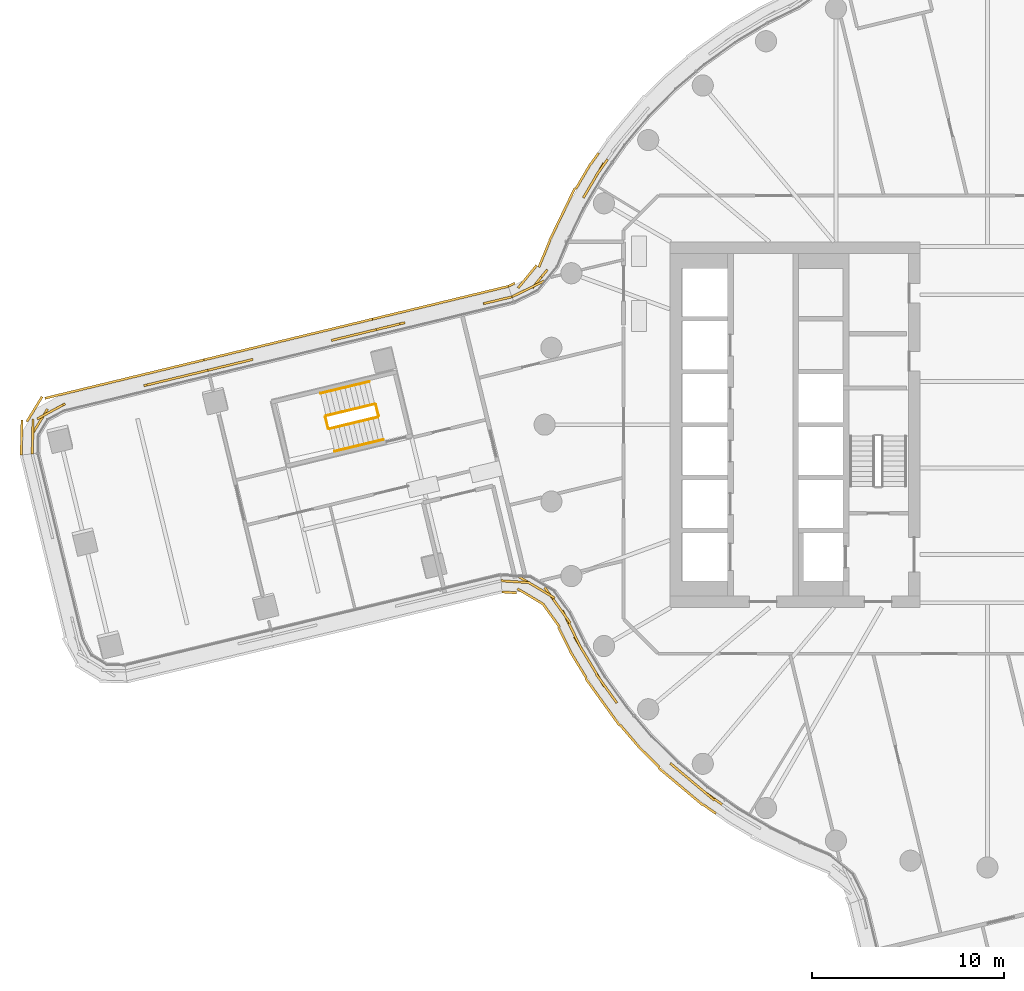
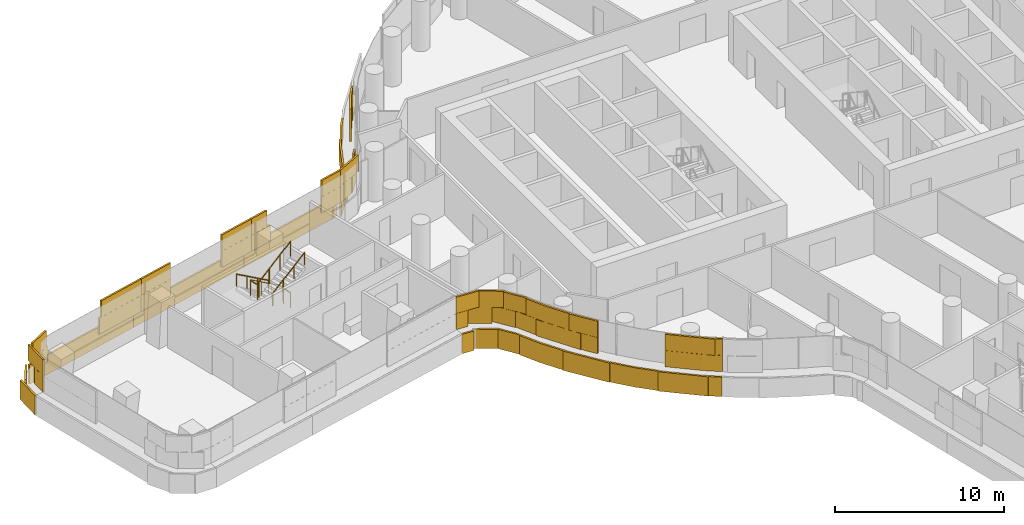
# One storey, part 27 of 33: 6 railings, 5 coverings.
"""IFC4 building model written with IfcOpenShell, lengths in metres."""

from ifc_helpers import new_model, si_unit, direction, frame, origin, origin_2d, place, context, subcontext, project, spatial, rectangle, circle, extrude, material, layer, layer_set, type_object, element, save


model = new_model("IFC4")

# Units and contexts
model_context = context("Model", 3, precision=1e-05, world=origin(), true_north=direction((0.0, 1.0)))
body_context = subcontext(model_context, "Body", "Model", "MODEL_VIEW")
ifc_project = project(units=[si_unit("LENGTHUNIT", "METRE"), si_unit("AREAUNIT", "SQUARE_METRE"), si_unit("VOLUMEUNIT", "CUBIC_METRE"), si_unit("PLANEANGLEUNIT", "RADIAN"), si_unit("MASSUNIT", "GRAM", prefix="KILO")], contexts=[model_context])

# Site, building, storey
site_placement = place(None, origin())
site = spatial("IfcSite", under=ifc_project, at=site_placement, CompositionType="ELEMENT")
building_placement = place(site_placement, origin())
building = spatial("IfcBuilding", under=site, at=building_placement, Name="Tamarind Cross Interchange Tower", CompositionType="ELEMENT")
storey_placement = place(building_placement, frame((0.0, 0.0, 83.5)))
storey = spatial("IfcBuildingStorey", under=building, at=storey_placement, Name="L19", CompositionType="ELEMENT", Elevation=83.5)

# Railings
ifc_material_1 = material(Name="Stair guard")
railing_type_1 = type_object("IfcRailingType", Name="Stair guard", PredefinedType="GUARDRAIL", material=ifc_material_1)
railing_1_placement = place(storey_placement, frame((-31.82666015625, 1.072265625, 0.17041015625)))
element("IfcRailing", 1, at=railing_1_placement, inside=storey, type_object=railing_type_1, Name="L19 ST5 stair guard 1", PredefinedType="GUARDRAIL", context=body_context, shape_type="SweptSolid", body=[
    extrude(circle(Radius=0.02392578125, at=origin_2d()), frame((0.0, 0.0, 1.076171875), z_axis=(-0.812910466723, -0.196395776398, 0.548274814399), x_axis=(0.234839402475, -0.972034184093, 0.0)), (0.0, 0.0, 1.0), 3.10888671875),
    extrude(circle(Radius=0.02099609375, at=origin_2d()), origin(), (0.0, 0.0, 1.0), 1.052001953125),
    extrude(circle(Radius=0.02099609375, at=origin_2d()), frame((-0.842529296875, -0.20361328125, 0.568115234375)), (0.0, 0.0, 1.0), 1.052001953125),
    extrude(circle(Radius=0.02099609375, at=origin_2d()), frame((-1.684814453125, -0.406982421875, 1.136474609375)), (0.0, 0.0, 1.0), 1.052001953125),
    extrude(circle(Radius=0.02099609375, at=origin_2d()), frame((-2.52734375, -0.610595703125, 1.70458984375)), (0.0, 0.0, 1.0), 1.052001953125),
])
railing_2_placement = place(storey_placement, frame((-34.390869140625, 0.4013671875, 1.875)))
element("IfcRailing", 2, at=railing_2_placement, inside=storey, type_object=railing_type_1, Name="L19 ST5 stair guard 2", PredefinedType="GUARDRAIL", context=body_context, shape_type="SweptSolid", body=[
    extrude(circle(Radius=0.02392578125, at=origin_2d()), frame((0.0, 0.0, 1.076171875), z_axis=(0.235157515487, -0.97195727422, 0.0), x_axis=(0.97195727422, 0.235157515487, 0.0)), (0.0, 0.0, 1.0), 0.60009765625),
    extrude(circle(Radius=0.02099609375, at=origin_2d()), origin(), (0.0, 0.0, 1.0), 1.052001953125),
    extrude(circle(Radius=0.02099609375, at=origin_2d()), frame((0.14111328125, -0.583251953125, 0.0)), (0.0, 0.0, 1.0), 1.052001953125),
])
railing_3_placement = place(storey_placement, frame((-34.189453125, -0.21875, 2.04541015625)))
element("IfcRailing", 3, at=railing_3_placement, inside=storey, type_object=railing_type_1, Name="L19 ST5 stair guard 3", PredefinedType="GUARDRAIL", context=body_context, shape_type="SweptSolid", body=[
    extrude(circle(Radius=0.02392578125, at=origin_2d()), frame((0.0, 0.0, 1.076171875), z_axis=(0.812883829688, 0.196408313984, 0.548309815369), x_axis=(-0.234860838697, 0.972029004941, 0.0)), (0.0, 0.0, 1.0), 3.10888671875),
    extrude(circle(Radius=0.02099609375, at=origin_2d()), origin(), (0.0, 0.0, 1.0), 1.052001953125),
    extrude(circle(Radius=0.02099609375, at=origin_2d()), frame((0.84228515625, 0.20361328125, 0.568115234375)), (0.0, 0.0, 1.0), 1.052001953125),
    extrude(circle(Radius=0.02099609375, at=origin_2d()), frame((1.684814453125, 0.406982421875, 1.136474609375)), (0.0, 0.0, 1.0), 1.052001953125),
    extrude(circle(Radius=0.02099609375, at=origin_2d()), frame((2.527099609375, 0.610595703125, 1.70458984375)), (0.0, 0.0, 1.0), 1.052001953125),
])
railing_4_placement = place(storey_placement, frame((-31.766357421875, 1.035400390625, 0.0)))
element("IfcRailing", 4, at=railing_4_placement, inside=storey, type_object=railing_type_1, Name="L19 ST5 stair guard 4", PredefinedType="GUARDRAIL", context=body_context, shape_type="SweptSolid", body=[
    extrude(circle(Radius=0.02392578125, at=origin_2d()), frame((0.0, 0.0, 1.076171875), z_axis=(0.234773111691, -0.972050197277, 0.0), x_axis=(0.972050197277, 0.234773111691, 0.0)), (0.0, 0.0, 1.0), 0.60009765625),
    extrude(circle(Radius=0.02099609375, at=origin_2d()), origin(), (0.0, 0.0, 1.0), 1.052001953125),
    extrude(circle(Radius=0.02099609375, at=origin_2d()), frame((0.140869140625, -0.583251953125, 0.0)), (0.0, 0.0, 1.0), 1.052001953125),
])
ifc_material_2 = material(Name="Stair handrail")
railing_type_2 = type_object("IfcRailingType", Name="Stair handrail", PredefinedType="HANDRAIL", material=ifc_material_2)
railing_5_placement = place(storey_placement, frame((-32.1083984375, 2.23876953125, 0.17041015625)))
element("IfcRailing", 5, at=railing_5_placement, inside=storey, type_object=railing_type_2, Name="L19 ST5 stair handrail 1", PredefinedType="HANDRAIL", context=body_context, shape_type="SweptSolid", body=[
    extrude(circle(Radius=0.02392578125, at=origin_2d()), frame((0.0, 0.0, 0.8759765625), z_axis=(-0.812910466723, -0.196395776398, 0.548274814399), x_axis=(0.234839402475, -0.972034184093, 0.0)), (0.0, 0.0, 1.0), 3.10888671875),
    extrude(circle(Radius=0.02099609375, at=origin_2d()), origin(), (0.0, 0.0, 1.0), 0.851806640625),
    extrude(circle(Radius=0.02099609375, at=origin_2d()), frame((-0.842529296875, -0.20361328125, 0.568115234375)), (0.0, 0.0, 1.0), 0.851806640625),
    extrude(circle(Radius=0.02099609375, at=origin_2d()), frame((-1.684814453125, -0.406982421875, 1.136474609375)), (0.0, 0.0, 1.0), 0.851806640625),
    extrude(circle(Radius=0.02099609375, at=origin_2d()), frame((-2.52734375, -0.610595703125, 1.70458984375)), (0.0, 0.0, 1.0), 0.851806640625),
])
railing_6_placement = place(storey_placement, frame((-33.90771484375, -1.38525390625, 2.04541015625)))
element("IfcRailing", 6, at=railing_6_placement, inside=storey, type_object=railing_type_2, Name="L19 ST5 stair handrail 2", PredefinedType="HANDRAIL", context=body_context, shape_type="SweptSolid", body=[
    extrude(circle(Radius=0.02392578125, at=origin_2d()), frame((0.0, 0.0, 0.8759765625), z_axis=(0.812910466723, 0.196395776398, 0.548274814399), x_axis=(-0.234839402475, 0.972034184093, 0.0)), (0.0, 0.0, 1.0), 3.10888671875),
    extrude(circle(Radius=0.02099609375, at=origin_2d()), origin(), (0.0, 0.0, 1.0), 0.851806640625),
    extrude(circle(Radius=0.02099609375, at=origin_2d()), frame((0.842529296875, 0.20361328125, 0.568115234375)), (0.0, 0.0, 1.0), 0.851806640625),
    extrude(circle(Radius=0.02099609375, at=origin_2d()), frame((1.684814453125, 0.406982421875, 1.136474609375)), (0.0, 0.0, 1.0), 0.851806640625),
    extrude(circle(Radius=0.02099609375, at=origin_2d()), frame((2.52734375, 0.610595703125, 1.70458984375)), (0.0, 0.0, 1.0), 0.851806640625),
])

# Coverings
ifc_material_3 = material(Name="Terracotta", Category="masonry")
ifc_layer = layer(ifc_material_3, 0.1201171875)
ifc_layer_set = layer_set([ifc_layer], Name="Terracotta")
covering_type = type_object("IfcCoveringType", Name="Terracotta baguette screen unit", PredefinedType="MOLDING", material=ifc_layer_set)
covering_1_placement = place(storey_placement, origin())
element("IfcCovering", 7, at=covering_1_placement, inside=storey, type_object=covering_type, Name="SCR-L19-02-01", PredefinedType="MOLDING", context=body_context, shape_type="SweptSolid", body=[
    extrude(rectangle(XDim=0.298095703125, YDim=0.1201171875, at=origin_2d()), frame((-19.813232421875, 13.66259765625, 1.404052734375), z_axis=(0.0, 0.0, 1.0), x_axis=(-0.577568978284, -0.816341886298, 0.0)), (0.0, 0.0, 1.0), 1.1669921875),
    extrude(rectangle(XDim=1.52001953125, YDim=0.1201171875, at=origin_2d()), frame((-20.31640625, 12.92431640625, 1.404052734375), z_axis=(0.0, 0.0, 1.0), x_axis=(-0.508183308752, -0.861248933065, 0.0)), (0.0, 0.0, 1.0), 1.1669921875),
    extrude(rectangle(XDim=0.58251953125, YDim=0.1201171875, at=origin_2d()), frame((-20.843017578125, 12.03173828125, 1.404052734375), z_axis=(0.0, 0.0, 1.0), x_axis=(-0.508183308752, -0.861248933065, 0.0)), (0.0, 0.0, 1.0), 1.1669921875),
    extrude(rectangle(XDim=1.237548828125, YDim=0.1201171875, at=origin_2d()), frame((-23.252685546875, 7.568603515625, 1.404052734375), z_axis=(0.0, 0.0, 1.0), x_axis=(-0.633230544773, -0.77396322727, 0.0)), (0.0, 0.0, 1.0), 1.1669921875),
    extrude(rectangle(XDim=1.142822265625, YDim=0.1201171875, at=origin_2d()), frame((-24.1875, 6.891845703125, 1.404052734375), z_axis=(0.0, 0.0, 1.0), x_axis=(-0.898036702198, -0.43992053999, 0.0)), (0.0, 0.0, 1.0), 1.1669921875),
    extrude(rectangle(XDim=1.048095703125, YDim=0.1201171875, at=origin_2d()), frame((-20.02978515625, 13.3564453125, 2.5791015625), z_axis=(0.0, 0.0, 1.0), x_axis=(-0.577568978284, -0.816341886298, 0.0)), (0.0, 0.0, 1.0), 1.1669921875),
    extrude(rectangle(XDim=1.33251953125, YDim=0.1201171875, at=origin_2d()), frame((-20.652587890625, 12.354736328125, 2.5791015625), z_axis=(0.0, 0.0, 1.0), x_axis=(-0.508183308752, -0.861248933065, 0.0)), (0.0, 0.0, 1.0), 1.1669921875),
    extrude(rectangle(XDim=0.487548828125, YDim=0.1201171875, at=origin_2d()), frame((-23.01513671875, 7.85888671875, 2.5791015625), z_axis=(0.0, 0.0, 1.0), x_axis=(-0.633230544773, -0.77396322727, 0.0)), (0.0, 0.0, 1.0), 1.1669921875),
    extrude(rectangle(XDim=1.52001953125, YDim=0.1201171875, at=origin_2d()), frame((-23.678955078125, 7.140869140625, 2.5791015625), z_axis=(0.0, 0.0, 1.0), x_axis=(-0.898036702198, -0.43992053999, 0.0)), (0.0, 0.0, 1.0), 1.1669921875),
    extrude(rectangle(XDim=0.392822265625, YDim=0.1201171875, at=origin_2d()), frame((-24.5244140625, 6.726806640625, 2.5791015625), z_axis=(0.0, 0.0, 1.0), x_axis=(-0.898036702198, -0.43992053999, 0.0)), (0.0, 0.0, 1.0), 1.1669921875),
    extrude(rectangle(XDim=0.705810546875, YDim=0.1201171875, at=origin_2d()), frame((-20.404541015625, 13.82080078125, 0.00390625), z_axis=(0.0, 0.0, 1.0), x_axis=(-0.577568978284, -0.816341886298, 0.0)), (0.0, 0.0, 1.0), 1.39208984375),
    extrude(rectangle(XDim=1.52001953125, YDim=0.1201171875, at=origin_2d()), frame((-20.995849609375, 12.902587890625, 0.00390625), z_axis=(0.0, 0.0, 1.0), x_axis=(-0.508183308752, -0.861248933065, 0.0)), (0.0, 0.0, 1.0), 1.39208984375),
    extrude(rectangle(XDim=1.52001953125, YDim=0.1201171875, at=origin_2d()), frame((-21.755126953125, 11.609375, 0.00390625), z_axis=(0.0, 0.0, 1.0), x_axis=(-0.435326231914, -0.900272776334, 0.0)), (0.0, 0.0, 1.0), 1.39208984375),
    extrude(rectangle(XDim=1.52001953125, YDim=0.1201171875, at=origin_2d()), frame((-22.408203125, 10.2587890625, 0.00390625), z_axis=(0.0, 0.0, 1.0), x_axis=(-0.435326231914, -0.900272776334, 0.0)), (0.0, 0.0, 1.0), 1.39208984375),
    extrude(rectangle(XDim=1.52001953125, YDim=0.1201171875, at=origin_2d()), frame((-23.0087890625, 8.885009765625, 0.00390625), z_axis=(0.0, 0.0, 1.0), x_axis=(-0.383444640748, -0.923563862157, 0.0)), (0.0, 0.0, 1.0), 1.39208984375),
    extrude(rectangle(XDim=1.52001953125, YDim=0.1201171875, at=origin_2d()), frame((-23.897216796875, 7.687255859375, 0.00390625), z_axis=(0.0, 0.0, 1.0), x_axis=(-0.633230544773, -0.77396322727, 0.0)), (0.0, 0.0, 1.0), 1.39208984375),
    extrude(rectangle(XDim=0.376953125, YDim=0.1201171875, at=origin_2d()), frame((-24.722900390625, 7.2685546875, 0.00390625), z_axis=(0.0, 0.0, 1.0), x_axis=(-0.898036702198, -0.43992053999, 0.0)), (0.0, 0.0, 1.0), 1.39208984375),
])
covering_2_placement = place(storey_placement, origin())
element("IfcCovering", 8, at=covering_2_placement, inside=storey, type_object=covering_type, Name="SCR-L19-03-00", PredefinedType="MOLDING", context=body_context, shape_type="SweptSolid", body=[
    extrude(rectangle(XDim=0.760009765625, YDim=0.1201171875, at=origin_2d()), frame((-25.060791015625, 6.554443359375, 1.404052734375), z_axis=(0.0, 0.0, 1.0), x_axis=(-0.972033185193, -0.234843537027, 0.0)), (0.0, 0.0, 1.0), 1.1669921875),
    extrude(rectangle(XDim=0.784912109375, YDim=0.1201171875, at=origin_2d()), frame((-25.8017578125, 6.37548828125, 1.404052734375), z_axis=(0.0, 0.0, 1.0), x_axis=(-0.972033185193, -0.234843537027, 0.0)), (0.0, 0.0, 1.0), 1.1669921875),
    extrude(rectangle(XDim=1.03515625, YDim=0.1201171875, at=origin_2d()), frame((-30.75927734375, 5.177734375, 1.404052734375), z_axis=(0.0, 0.0, 1.0), x_axis=(-0.972033185193, -0.234843537027, 0.0)), (0.0, 0.0, 1.0), 1.1669921875),
    extrude(rectangle(XDim=0.509521484375, YDim=0.1201171875, at=origin_2d()), frame((-31.500244140625, 4.998779296875, 1.404052734375), z_axis=(0.0, 0.0, 1.0), x_axis=(-0.972033185193, -0.234843537027, 0.0)), (0.0, 0.0, 1.0), 1.1669921875),
    extrude(rectangle(XDim=1.510009765625, YDim=0.1201171875, at=origin_2d()), frame((-25.42529296875, 6.466552734375, 2.5791015625), z_axis=(0.0, 0.0, 1.0), x_axis=(-0.972033185193, -0.234843537027, 0.0)), (0.0, 0.0, 1.0), 1.1669921875),
    extrude(rectangle(XDim=1.259521484375, YDim=0.1201171875, at=origin_2d()), frame((-31.1357421875, 5.086669921875, 2.5791015625), z_axis=(0.0, 0.0, 1.0), x_axis=(-0.972033185193, -0.234843537027, 0.0)), (0.0, 0.0, 1.0), 1.1669921875),
    extrude(rectangle(XDim=0.760009765625, YDim=0.1201171875, at=origin_2d()), frame((-25.26171875, 7.096435546875, 0.00390625), z_axis=(0.0, 0.0, 1.0), x_axis=(-0.972033185193, -0.234843537027, 0.0)), (0.0, 0.0, 1.0), 1.39208984375),
    extrude(rectangle(XDim=1.52001953125, YDim=0.1201171875, at=origin_2d()), frame((-26.350341796875, 6.83349609375, 0.00390625), z_axis=(0.0, 0.0, 1.0), x_axis=(-0.972033185193, -0.234843537027, 0.0)), (0.0, 0.0, 1.0), 1.39208984375),
    extrude(rectangle(XDim=1.52001953125, YDim=0.1201171875, at=origin_2d()), frame((-27.808349609375, 6.481201171875, 0.00390625), z_axis=(0.0, 0.0, 1.0), x_axis=(-0.972033185193, -0.234843537027, 0.0)), (0.0, 0.0, 1.0), 1.39208984375),
    extrude(rectangle(XDim=1.52001953125, YDim=0.1201171875, at=origin_2d()), frame((-29.266357421875, 6.12890625, 0.00390625), z_axis=(0.0, 0.0, 1.0), x_axis=(-0.972033185193, -0.234843537027, 0.0)), (0.0, 0.0, 1.0), 1.39208984375),
    extrude(rectangle(XDim=1.52001953125, YDim=0.1201171875, at=origin_2d()), frame((-30.724365234375, 5.776611328125, 0.00390625), z_axis=(0.0, 0.0, 1.0), x_axis=(-0.972033185193, -0.234843537027, 0.0)), (0.0, 0.0, 1.0), 1.39208984375),
    extrude(rectangle(XDim=0.513427734375, YDim=0.1201171875, at=origin_2d()), frame((-31.693359375, 5.542724609375, 0.00390625), z_axis=(0.0, 0.0, 1.0), x_axis=(-0.972033185193, -0.234843537027, 0.0)), (0.0, 0.0, 1.0), 1.39208984375),
])
covering_3_placement = place(storey_placement, origin())
element("IfcCovering", 9, at=covering_3_placement, inside=storey, type_object=covering_type, Name="SCR-L19-03-01", PredefinedType="MOLDING", context=body_context, shape_type="SweptSolid", body=[
    extrude(rectangle(XDim=1.010498046875, YDim=0.1201171875, at=origin_2d()), frame((-32.229248046875, 4.822509765625, 1.404052734375), z_axis=(0.0, 0.0, 1.0), x_axis=(-0.972033185193, -0.234843537027, 0.0)), (0.0, 0.0, 1.0), 1.1669921875),
    extrude(rectangle(XDim=1.409912109375, YDim=0.1201171875, at=origin_2d()), frame((-33.39599609375, 4.540771484375, 1.404052734375), z_axis=(0.0, 0.0, 1.0), x_axis=(-0.972033185193, -0.234843537027, 0.0)), (0.0, 0.0, 1.0), 1.1669921875),
    extrude(rectangle(XDim=0.409912109375, YDim=0.1201171875, at=origin_2d()), frame((-38.353271484375, 3.343017578125, 1.404052734375), z_axis=(0.0, 0.0, 1.0), x_axis=(-0.972033185193, -0.234843537027, 0.0)), (0.0, 0.0, 1.0), 1.1669921875),
    extrude(rectangle(XDim=1.52001953125, YDim=0.1201171875, at=origin_2d()), frame((-39.27685546875, 3.119873046875, 1.404052734375), z_axis=(0.0, 0.0, 1.0), x_axis=(-0.972033185193, -0.234843537027, 0.0)), (0.0, 0.0, 1.0), 1.1669921875),
    extrude(rectangle(XDim=0.51025390625, YDim=0.1201171875, at=origin_2d()), frame((-40.2490234375, 2.885009765625, 1.404052734375), z_axis=(0.0, 0.0, 1.0), x_axis=(-0.972033185193, -0.234843537027, 0.0)), (0.0, 0.0, 1.0), 1.1669921875),
    extrude(rectangle(XDim=0.260498046875, YDim=0.1201171875, at=origin_2d()), frame((-31.86474609375, 4.91064453125, 2.5791015625), z_axis=(0.0, 0.0, 1.0), x_axis=(-0.972033185193, -0.234843537027, 0.0)), (0.0, 0.0, 1.0), 1.1669921875),
    extrude(rectangle(XDim=1.52001953125, YDim=0.1201171875, at=origin_2d()), frame((-32.715576171875, 4.705078125, 2.5791015625), z_axis=(0.0, 0.0, 1.0), x_axis=(-0.972033185193, -0.234843537027, 0.0)), (0.0, 0.0, 1.0), 1.1669921875),
    extrude(rectangle(XDim=0.659912109375, YDim=0.1201171875, at=origin_2d()), frame((-33.760498046875, 4.45263671875, 2.5791015625), z_axis=(0.0, 0.0, 1.0), x_axis=(-0.972033185193, -0.234843537027, 0.0)), (0.0, 0.0, 1.0), 1.1669921875),
    extrude(rectangle(XDim=1.159912109375, YDim=0.1201171875, at=origin_2d()), frame((-38.7177734375, 3.2548828125, 2.5791015625), z_axis=(0.0, 0.0, 1.0), x_axis=(-0.972033185193, -0.234843537027, 0.0)), (0.0, 0.0, 1.0), 1.1669921875),
    extrude(rectangle(XDim=1.26025390625, YDim=0.1201171875, at=origin_2d()), frame((-39.884521484375, 2.97314453125, 2.5791015625), z_axis=(0.0, 0.0, 1.0), x_axis=(-0.972033185193, -0.234843537027, 0.0)), (0.0, 0.0, 1.0), 1.1669921875),
    extrude(rectangle(XDim=1.006591796875, YDim=0.1201171875, at=origin_2d()), frame((-32.43212890625, 5.364013671875, 0.00390625), z_axis=(0.0, 0.0, 1.0), x_axis=(-0.972033185193, -0.234843537027, 0.0)), (0.0, 0.0, 1.0), 1.39208984375),
    extrude(rectangle(XDim=1.52001953125, YDim=0.1201171875, at=origin_2d()), frame((-33.640625, 5.072265625, 0.00390625), z_axis=(0.0, 0.0, 1.0), x_axis=(-0.972033185193, -0.234843537027, 0.0)), (0.0, 0.0, 1.0), 1.39208984375),
    extrude(rectangle(XDim=1.52001953125, YDim=0.1201171875, at=origin_2d()), frame((-35.0986328125, 4.719970703125, 0.00390625), z_axis=(0.0, 0.0, 1.0), x_axis=(-0.972033185193, -0.234843537027, 0.0)), (0.0, 0.0, 1.0), 1.39208984375),
    extrude(rectangle(XDim=1.52001953125, YDim=0.1201171875, at=origin_2d()), frame((-36.556640625, 4.36767578125, 0.00390625), z_axis=(0.0, 0.0, 1.0), x_axis=(-0.972033185193, -0.234843537027, 0.0)), (0.0, 0.0, 1.0), 1.39208984375),
    extrude(rectangle(XDim=1.52001953125, YDim=0.1201171875, at=origin_2d()), frame((-38.0146484375, 4.015380859375, 0.00390625), z_axis=(0.0, 0.0, 1.0), x_axis=(-0.972033185193, -0.234843537027, 0.0)), (0.0, 0.0, 1.0), 1.39208984375),
    extrude(rectangle(XDim=1.52001953125, YDim=0.1201171875, at=origin_2d()), frame((-39.47265625, 3.6630859375, 0.00390625), z_axis=(0.0, 0.0, 1.0), x_axis=(-0.972033185193, -0.234843537027, 0.0)), (0.0, 0.0, 1.0), 1.39208984375),
    extrude(rectangle(XDim=0.518798828125, YDim=0.1201171875, at=origin_2d()), frame((-40.4443359375, 3.428466796875, 0.00390625), z_axis=(0.0, 0.0, 1.0), x_axis=(-0.972033185193, -0.234843537027, 0.0)), (0.0, 0.0, 1.0), 1.39208984375),
])
covering_4_placement = place(storey_placement, origin())
element("IfcCovering", 10, at=covering_4_placement, inside=storey, type_object=covering_type, Name="SCR-L19-03-02", PredefinedType="MOLDING", context=body_context, shape_type="SweptSolid", body=[
    extrude(rectangle(XDim=1.009765625, YDim=0.1201171875, at=origin_2d()), frame((-40.97802734375, 2.708984375, 1.404052734375), z_axis=(0.0, 0.0, 1.0), x_axis=(-0.972033185193, -0.234843537027, 0.0)), (0.0, 0.0, 1.0), 1.1669921875),
    extrude(rectangle(XDim=1.52001953125, YDim=0.1201171875, at=origin_2d()), frame((-42.19287109375, 2.415283203125, 1.404052734375), z_axis=(0.0, 0.0, 1.0), x_axis=(-0.972033185193, -0.234843537027, 0.0)), (0.0, 0.0, 1.0), 1.1669921875),
    extrude(rectangle(XDim=0.929931640625, YDim=0.1201171875, at=origin_2d()), frame((-43.368896484375, 2.13134765625, 1.404052734375), z_axis=(0.0, 0.0, 1.0), x_axis=(-0.972033185193, -0.234843537027, 0.0)), (0.0, 0.0, 1.0), 1.1669921875),
    extrude(rectangle(XDim=0.89013671875, YDim=0.1201171875, at=origin_2d()), frame((-48.30322265625, 0.87353515625, 1.404052734375), z_axis=(0.0, 0.0, 1.0), x_axis=(-0.878129977586, -0.478422138351, 0.0)), (0.0, 0.0, 1.0), 1.1669921875),
    extrude(rectangle(XDim=1.52001953125, YDim=0.1201171875, at=origin_2d()), frame((-49.2177734375, 0.167236328125, 1.404052734375), z_axis=(0.0, 0.0, 1.0), x_axis=(-0.521271799238, -0.853390714338, 0.0)), (0.0, 0.0, 1.0), 1.1669921875),
    extrude(rectangle(XDim=1.04931640625, YDim=0.1201171875, at=origin_2d()), frame((-49.605712890625, -0.9970703125, 1.404052734375), z_axis=(0.0, 0.0, 1.0), x_axis=(-0.024739263248, -0.99969393759, 0.0)), (0.0, 0.0, 1.0), 1.1669921875),
    extrude(rectangle(XDim=0.259765625, YDim=0.1201171875, at=origin_2d()), frame((-40.613525390625, 2.796875, 2.5791015625), z_axis=(0.0, 0.0, 1.0), x_axis=(-0.972033185193, -0.234843537027, 0.0)), (0.0, 0.0, 1.0), 1.1669921875),
    extrude(rectangle(XDim=1.52001953125, YDim=0.1201171875, at=origin_2d()), frame((-41.4638671875, 2.591552734375, 2.5791015625), z_axis=(0.0, 0.0, 1.0), x_axis=(-0.972033185193, -0.234843537027, 0.0)), (0.0, 0.0, 1.0), 1.1669921875),
    extrude(rectangle(XDim=1.52001953125, YDim=0.1201171875, at=origin_2d()), frame((-42.921875, 2.2392578125, 2.5791015625), z_axis=(0.0, 0.0, 1.0), x_axis=(-0.972033185193, -0.234843537027, 0.0)), (0.0, 0.0, 1.0), 1.1669921875),
    extrude(rectangle(XDim=1.52001953125, YDim=0.1201171875, at=origin_2d()), frame((-48.689697265625, 0.662841796875, 2.5791015625), z_axis=(0.0, 0.0, 1.0), x_axis=(-0.878129977586, -0.478422138351, 0.0)), (0.0, 0.0, 1.0), 1.1669921875),
    extrude(rectangle(XDim=1.52001953125, YDim=0.1201171875, at=origin_2d()), frame((-49.593017578125, -0.4775390625, 2.5791015625), z_axis=(0.0, 0.0, 1.0), x_axis=(-0.024739263248, -0.99969393759, 0.0)), (0.0, 0.0, 1.0), 1.1669921875),
    extrude(rectangle(XDim=0.29931640625, YDim=0.1201171875, at=origin_2d()), frame((-49.614990234375, -1.3720703125, 2.5791015625), z_axis=(0.0, 0.0, 1.0), x_axis=(-0.024739263248, -0.99969393759, 0.0)), (0.0, 0.0, 1.0), 1.1669921875),
    extrude(rectangle(XDim=1.001220703125, YDim=0.1201171875, at=origin_2d()), frame((-41.182861328125, 3.25, 0.00390625), z_axis=(0.0, 0.0, 1.0), x_axis=(-0.972033185193, -0.234843537027, 0.0)), (0.0, 0.0, 1.0), 1.39208984375),
    extrude(rectangle(XDim=1.52001953125, YDim=0.1201171875, at=origin_2d()), frame((-42.388916015625, 2.95849609375, 0.00390625), z_axis=(0.0, 0.0, 1.0), x_axis=(-0.972033185193, -0.234843537027, 0.0)), (0.0, 0.0, 1.0), 1.39208984375),
    extrude(rectangle(XDim=1.52001953125, YDim=0.1201171875, at=origin_2d()), frame((-43.846923828125, 2.606201171875, 0.00390625), z_axis=(0.0, 0.0, 1.0), x_axis=(-0.972033185193, -0.234843537027, 0.0)), (0.0, 0.0, 1.0), 1.39208984375),
    extrude(rectangle(XDim=1.52001953125, YDim=0.1201171875, at=origin_2d()), frame((-45.304931640625, 2.25390625, 0.00390625), z_axis=(0.0, 0.0, 1.0), x_axis=(-0.972033185193, -0.234843537027, 0.0)), (0.0, 0.0, 1.0), 1.39208984375),
    extrude(rectangle(XDim=1.52001953125, YDim=0.1201171875, at=origin_2d()), frame((-46.762939453125, 1.90185546875, 0.00390625), z_axis=(0.0, 0.0, 1.0), x_axis=(-0.972033185193, -0.234843537027, 0.0)), (0.0, 0.0, 1.0), 1.39208984375),
    extrude(rectangle(XDim=1.52001953125, YDim=0.1201171875, at=origin_2d()), frame((-48.220947265625, 1.549560546875, 0.00390625), z_axis=(0.0, 0.0, 1.0), x_axis=(-0.972033185193, -0.234843537027, 0.0)), (0.0, 0.0, 1.0), 1.39208984375),
    extrude(rectangle(XDim=1.52001953125, YDim=0.1201171875, at=origin_2d()), frame((-49.50146484375, 0.80419921875, 0.00390625), z_axis=(0.0, 0.0, 1.0), x_axis=(-0.521271799238, -0.853390714338, 0.0)), (0.0, 0.0, 1.0), 1.39208984375),
    extrude(rectangle(XDim=1.52001953125, YDim=0.1201171875, at=origin_2d()), frame((-50.16796875, -0.510009765625, 0.00390625), z_axis=(0.0, 0.0, 1.0), x_axis=(-0.024739263248, -0.99969393759, 0.0)), (0.0, 0.0, 1.0), 1.39208984375),
    extrude(rectangle(XDim=0.328369140625, YDim=0.1201171875, at=origin_2d()), frame((-50.190185546875, -1.413818359375, 0.00390625), z_axis=(0.0, 0.0, 1.0), x_axis=(-0.024739263248, -0.99969393759, 0.0)), (0.0, 0.0, 1.0), 1.39208984375),
])
covering_5_placement = place(storey_placement, origin())
element("IfcCovering", 11, at=covering_5_placement, inside=storey, type_object=covering_type, Name="SCR-L19-06-00", PredefinedType="MOLDING", context=body_context, shape_type="SweptSolid", body=[
    extrude(rectangle(XDim=0.760009765625, YDim=0.1201171875, at=origin_2d()), frame((-24.889892578125, -8.135009765625, 1.404052734375), z_axis=(0.0, 0.0, 1.0), x_axis=(0.997808014991, -0.06617526139, 0.0)), (0.0, 0.0, 1.0), 1.1669921875),
    extrude(rectangle(XDim=1.52001953125, YDim=0.1201171875, at=origin_2d()), frame((-23.775146484375, -8.23486328125, 1.404052734375), z_axis=(0.0, 0.0, 1.0), x_axis=(0.859172921584, -0.511685343563, 0.0)), (0.0, 0.0, 1.0), 1.1669921875),
    extrude(rectangle(XDim=1.52001953125, YDim=0.1201171875, at=origin_2d()), frame((-22.551513671875, -9.073486328125, 1.404052734375), z_axis=(0.0, 0.0, 1.0), x_axis=(0.583659290857, -0.811998665144, 0.0)), (0.0, 0.0, 1.0), 1.1669921875),
    extrude(rectangle(XDim=1.52001953125, YDim=0.1201171875, at=origin_2d()), frame((-21.739501953125, -10.32958984375, 1.404052734375), z_axis=(0.0, 0.0, 1.0), x_axis=(0.443397229037, -0.89632521848, 0.0)), (0.0, 0.0, 1.0), 1.1669921875),
    extrude(rectangle(XDim=1.52001953125, YDim=0.1201171875, at=origin_2d()), frame((-21.06494140625, -11.668701171875, 1.404052734375), z_axis=(0.0, 0.0, 1.0), x_axis=(0.515577308909, -0.856843065292, 0.0)), (0.0, 0.0, 1.0), 1.1669921875),
    extrude(rectangle(XDim=1.52001953125, YDim=0.1201171875, at=origin_2d()), frame((-20.29150390625, -12.9541015625, 1.404052734375), z_axis=(0.0, 0.0, 1.0), x_axis=(0.515577308909, -0.856843065292, 0.0)), (0.0, 0.0, 1.0), 1.1669921875),
    extrude(rectangle(XDim=1.0859375, YDim=0.1201171875, at=origin_2d()), frame((-19.563232421875, -14.015380859375, 1.404052734375), z_axis=(0.0, 0.0, 1.0), x_axis=(0.584573890505, -0.811340475102, 0.0)), (0.0, 0.0, 1.0), 1.1669921875),
    extrude(rectangle(XDim=0.734130859375, YDim=0.1201171875, at=origin_2d()), frame((-16.192138671875, -17.828125, 1.404052734375), z_axis=(0.0, 0.0, 1.0), x_axis=(0.765858396687, -0.643009266048, 0.0)), (0.0, 0.0, 1.0), 1.1669921875),
    extrude(rectangle(XDim=1.52001953125, YDim=0.1201171875, at=origin_2d()), frame((-15.34033203125, -18.543212890625, 1.404052734375), z_axis=(0.0, 0.0, 1.0), x_axis=(0.765858396687, -0.643009266048, 0.0)), (0.0, 0.0, 1.0), 1.1669921875),
    extrude(rectangle(XDim=1.221923828125, YDim=0.1201171875, at=origin_2d()), frame((-14.27490234375, -19.380126953125, 1.404052734375), z_axis=(0.0, 0.0, 1.0), x_axis=(0.816341886298, -0.577568978284, 0.0)), (0.0, 0.0, 1.0), 1.1669921875),
    extrude(rectangle(XDim=1.510009765625, YDim=0.1201171875, at=origin_2d()), frame((-24.515625, -8.15966796875, 2.5791015625), z_axis=(0.0, 0.0, 1.0), x_axis=(0.997808014991, -0.06617526139, 0.0)), (0.0, 0.0, 1.0), 1.1669921875),
    extrude(rectangle(XDim=1.52001953125, YDim=0.1201171875, at=origin_2d()), frame((-23.130859375, -8.61865234375, 2.5791015625), z_axis=(0.0, 0.0, 1.0), x_axis=(0.859172921584, -0.511685343563, 0.0)), (0.0, 0.0, 1.0), 1.1669921875),
    extrude(rectangle(XDim=1.52001953125, YDim=0.1201171875, at=origin_2d()), frame((-22.11376953125, -9.682373046875, 2.5791015625), z_axis=(0.0, 0.0, 1.0), x_axis=(0.583659290857, -0.811998665144, 0.0)), (0.0, 0.0, 1.0), 1.1669921875),
    extrude(rectangle(XDim=1.52001953125, YDim=0.1201171875, at=origin_2d()), frame((-21.406982421875, -11.001708984375, 2.5791015625), z_axis=(0.0, 0.0, 1.0), x_axis=(0.443397229037, -0.89632521848, 0.0)), (0.0, 0.0, 1.0), 1.1669921875),
    extrude(rectangle(XDim=1.52001953125, YDim=0.1201171875, at=origin_2d()), frame((-20.67822265625, -12.3115234375, 2.5791015625), z_axis=(0.0, 0.0, 1.0), x_axis=(0.515577308909, -0.856843065292, 0.0)), (0.0, 0.0, 1.0), 1.1669921875),
    extrude(rectangle(XDim=1.52001953125, YDim=0.1201171875, at=origin_2d()), frame((-19.877685546875, -13.578857421875, 2.5791015625), z_axis=(0.0, 0.0, 1.0), x_axis=(0.584573890505, -0.811340475102, 0.0)), (0.0, 0.0, 1.0), 1.1669921875),
    extrude(rectangle(XDim=0.3359375, YDim=0.1201171875, at=origin_2d()), frame((-19.343994140625, -14.319580078125, 2.5791015625), z_axis=(0.0, 0.0, 1.0), x_axis=(0.584573890505, -0.811340475102, 0.0)), (0.0, 0.0, 1.0), 1.1669921875),
    extrude(rectangle(XDim=1.484130859375, YDim=0.1201171875, at=origin_2d()), frame((-15.90478515625, -18.0693359375, 2.5791015625), z_axis=(0.0, 0.0, 1.0), x_axis=(0.765858396687, -0.643009266048, 0.0)), (0.0, 0.0, 1.0), 1.1669921875),
    extrude(rectangle(XDim=1.52001953125, YDim=0.1201171875, at=origin_2d()), frame((-14.765869140625, -19.025390625, 2.5791015625), z_axis=(0.0, 0.0, 1.0), x_axis=(0.765858396687, -0.643009266048, 0.0)), (0.0, 0.0, 1.0), 1.1669921875),
    extrude(rectangle(XDim=0.471923828125, YDim=0.1201171875, at=origin_2d()), frame((-13.96875, -19.5966796875, 2.5791015625), z_axis=(0.0, 0.0, 1.0), x_axis=(0.816341886298, -0.577568978284, 0.0)), (0.0, 0.0, 1.0), 1.1669921875),
    extrude(rectangle(XDim=0.760009765625, YDim=0.1201171875, at=origin_2d()), frame((-24.835693359375, -8.7138671875, 0.00390625), z_axis=(0.0, 0.0, 1.0), x_axis=(0.997808014991, -0.06617526139, 0.0)), (0.0, 0.0, 1.0), 1.39208984375),
    extrude(rectangle(XDim=1.52001953125, YDim=0.1201171875, at=origin_2d()), frame((-23.75732421875, -8.91357421875, 0.00390625), z_axis=(0.0, 0.0, 1.0), x_axis=(0.859172921584, -0.511685343563, 0.0)), (0.0, 0.0, 1.0), 1.39208984375),
    extrude(rectangle(XDim=1.52001953125, YDim=0.1201171875, at=origin_2d()), frame((-22.66650390625, -9.89697265625, 0.00390625), z_axis=(0.0, 0.0, 1.0), x_axis=(0.583659290857, -0.811998665144, 0.0)), (0.0, 0.0, 1.0), 1.39208984375),
    extrude(rectangle(XDim=1.52001953125, YDim=0.1201171875, at=origin_2d()), frame((-21.945556640625, -11.207763671875, 0.00390625), z_axis=(0.0, 0.0, 1.0), x_axis=(0.443397229037, -0.89632521848, 0.0)), (0.0, 0.0, 1.0), 1.39208984375),
    extrude(rectangle(XDim=1.52001953125, YDim=0.1201171875, at=origin_2d()), frame((-21.22216796875, -12.5205078125, 0.00390625), z_axis=(0.0, 0.0, 1.0), x_axis=(0.515577308909, -0.856843065292, 0.0)), (0.0, 0.0, 1.0), 1.39208984375),
    extrude(rectangle(XDim=1.52001953125, YDim=0.1201171875, at=origin_2d()), frame((-20.430419921875, -13.793701171875, 0.00390625), z_axis=(0.0, 0.0, 1.0), x_axis=(0.584573890505, -0.811340475102, 0.0)), (0.0, 0.0, 1.0), 1.39208984375),
    extrude(rectangle(XDim=1.52001953125, YDim=0.1201171875, at=origin_2d()), frame((-19.553466796875, -15.0107421875, 0.00390625), z_axis=(0.0, 0.0, 1.0), x_axis=(0.584573890505, -0.811340475102, 0.0)), (0.0, 0.0, 1.0), 1.39208984375),
    extrude(rectangle(XDim=1.52001953125, YDim=0.1201171875, at=origin_2d()), frame((-18.596923828125, -16.1650390625, 0.00390625), z_axis=(0.0, 0.0, 1.0), x_axis=(0.64957723968, -0.760295606781, 0.0)), (0.0, 0.0, 1.0), 1.39208984375),
    extrude(rectangle(XDim=1.52001953125, YDim=0.1201171875, at=origin_2d()), frame((-17.58056640625, -17.2666015625, 0.00390625), z_axis=(0.0, 0.0, 1.0), x_axis=(0.710143317658, -0.704057148523, 0.0)), (0.0, 0.0, 1.0), 1.39208984375),
    extrude(rectangle(XDim=1.52001953125, YDim=0.1201171875, at=origin_2d()), frame((-16.5068359375, -18.313232421875, 0.00390625), z_axis=(0.0, 0.0, 1.0), x_axis=(0.765858396687, -0.643009266048, 0.0)), (0.0, 0.0, 1.0), 1.39208984375),
    extrude(rectangle(XDim=1.52001953125, YDim=0.1201171875, at=origin_2d()), frame((-15.358154296875, -19.27783203125, 0.00390625), z_axis=(0.0, 0.0, 1.0), x_axis=(0.765858396687, -0.643009266048, 0.0)), (0.0, 0.0, 1.0), 1.39208984375),
    extrude(rectangle(XDim=0.814208984375, YDim=0.1201171875, at=origin_2d()), frame((-14.441162109375, -19.965576171875, 0.00390625), z_axis=(0.0, 0.0, 1.0), x_axis=(0.816341886298, -0.577568978284, 0.0)), (0.0, 0.0, 1.0), 1.39208984375),
])

save(model, "model.ifc")
